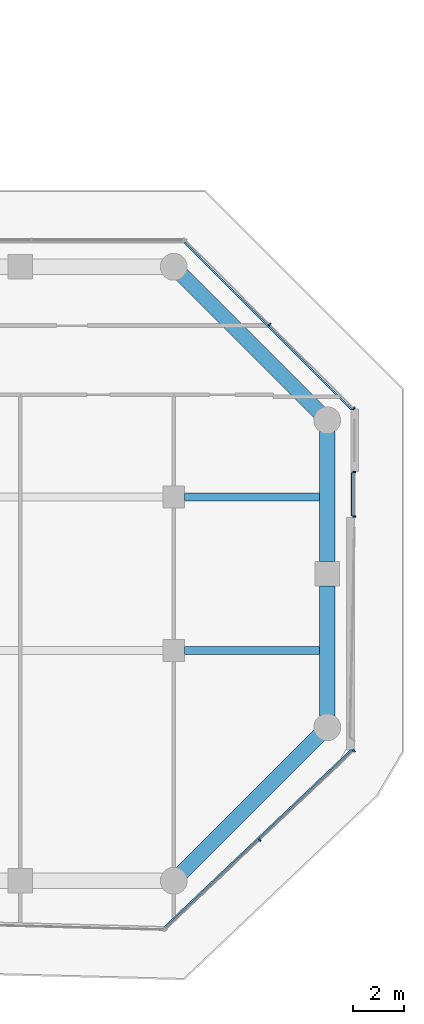
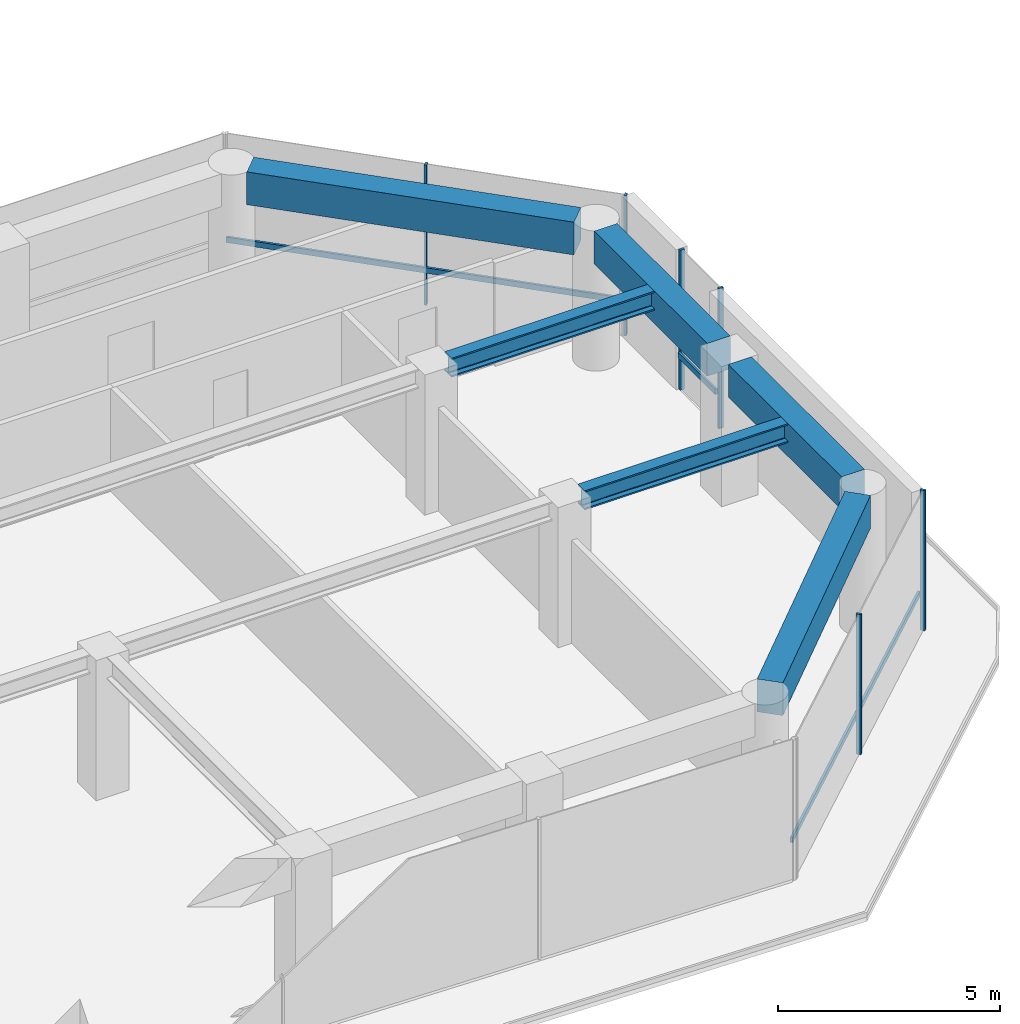
# One storey, part 20 of 28: 9 members, 6 beams, 3 elements without a shape of their own.
"""IFC4 building model written with IfcOpenShell, lengths in metres."""

from ifc_helpers import new_model, si_unit, direction, frame, origin, origin_2d, place, context, subcontext, project, spatial, rectangle, i_section, extrude, material, layer, layer_set, material_profile, profile_set, type_object, element, aggregate, save


model = new_model("IFC4")

# Units and contexts
model_context = context("Model", 3, precision=1e-05, world=origin(), true_north=direction((0.0, 1.0)))
body_context = subcontext(model_context, "Body", "Model", "MODEL_VIEW")
ifc_project = project(units=[si_unit("LENGTHUNIT", "METRE"), si_unit("AREAUNIT", "SQUARE_METRE"), si_unit("VOLUMEUNIT", "CUBIC_METRE"), si_unit("PLANEANGLEUNIT", "RADIAN"), si_unit("MASSUNIT", "GRAM", prefix="KILO")], contexts=[model_context])

# Site, building, storey
site_placement = place(None, origin())
site = spatial("IfcSite", under=ifc_project, at=site_placement, CompositionType="ELEMENT")
building_placement = place(site_placement, origin())
building = spatial("IfcBuilding", under=site, at=building_placement, Name="Welwitschia Terrace Campus", CompositionType="ELEMENT")
storey_placement = place(building_placement, frame((0.0, 0.0, 45.800048828125)))
storey = spatial("IfcBuildingStorey", under=building, at=storey_placement, Name="L10", CompositionType="ELEMENT", Elevation=45.800048828125)

# Beams
ifc_material_1 = material(Name="Steel S355", Category="steel")
ifc_material_profile_1 = material_profile(ifc_material_1, i_section(OverallWidth=0.305908203125, OverallDepth=0.52392578125, WebThickness=0.02099609375, FlangeThickness=0.0400390625, FilletRadius=0.027099609375, at=origin_2d()))
ifc_profile_set_1 = profile_set([ifc_material_profile_1], Name="Steel S355")
beam_type_1 = type_object("IfcBeamType", Name="Interior girder HE 500 M", PredefinedType="BEAM", material=ifc_profile_set_1)
for number, where, z_axis, x_axis, name in (
    (1, (60.425537109375, 5.0, 3.587890625), (1.0, 0.0, 0.0), (0.0, 1.0, 0.0), "Girder GB2"),
    (2, (60.425537109375, 11.0, 3.587890625), (1.0, 0.0, 0.0), (0.0, 1.0, 0.0), "Girder GB2"),
):
    element("IfcBeam", number, at=place(storey_placement, frame(where, z_axis=z_axis, x_axis=x_axis)), inside=storey, type_object=beam_type_1, Name=name, PredefinedType="BEAM", context=body_context, shape_type="SweptSolid", body=[
        extrude(i_section(OverallWidth=0.305908203125, OverallDepth=0.52392578125, WebThickness=0.02099609375, FlangeThickness=0.0400390625, FilletRadius=0.027099609375, at=origin_2d()), origin(), (0.0, 0.0, 1.0), 5.58447265625),
    ])

# Curtain wall, members
ifc_material_2 = material(Name="Bronze anodised aluminium", Category="aluminium")
ifc_layer = layer(ifc_material_2, 0.1201171875)
ifc_layer_set = layer_set([ifc_layer], Name="Bronze anodised aluminium")
curtain_wall_type = type_object("IfcCurtainWallType", Name="Curtain wall CW2 tower 6000", PredefinedType="NOTDEFINED", material=ifc_layer_set)
curtain_wall_1_placement = place(storey_placement, origin())
curtain_wall_1 = element("IfcCurtainWall", 3, at=curtain_wall_1_placement, inside=storey, type_object=curtain_wall_type, Name="CW L10.3.0", PredefinedType="NOTDEFINED")
ifc_material_3 = material(Name="Bronze anodised aluminium", Category="aluminium")
ifc_material_profile_2 = material_profile(ifc_material_3, rectangle(XDim=0.1201171875, YDim=0.06005859375, at=origin_2d()))
ifc_profile_set_2 = profile_set([ifc_material_profile_2], Name="Bronze anodised aluminium")
member_type_1 = type_object("IfcMemberType", Name="Mullion 60x120", PredefinedType="MULLION", material=ifc_profile_set_2)
member_1_placement = place(storey_placement, frame((63.3583984375, -2.405517578125, 0.0), z_axis=(0.0, 0.0, 1.0), x_axis=(-0.688354575694, 0.725374371012, 0.0)))
member_1 = element("IfcMember", 4, at=member_1_placement, type_object=member_type_1, Name="Mullion L10.3.0.1", PredefinedType="MULLION", context=body_context, shape_type="SweptSolid", body=[
    extrude(rectangle(XDim=0.1201171875, YDim=0.06005859375, at=origin_2d()), origin(), (0.0, 0.0, 1.0), 3.849853515625),
])
member_2_placement = place(storey_placement, frame((67.0361328125, 1.084716796875, 0.0), z_axis=(0.0, 0.0, 1.0), x_axis=(-0.688354575694, 0.725374371012, 0.0)))
member_2 = element("IfcMember", 5, at=member_2_placement, type_object=member_type_1, Name="Mullion L10.3.0.2", PredefinedType="MULLION", context=body_context, shape_type="SweptSolid", body=[
    extrude(rectangle(XDim=0.1201171875, YDim=0.06005859375, at=origin_2d()), origin(), (0.0, 0.0, 1.0), 3.849853515625),
])

curtain_wall_2_placement = place(storey_placement, origin())
curtain_wall_2 = element("IfcCurtainWall", 6, at=curtain_wall_2_placement, inside=storey, type_object=curtain_wall_type, Name="CW L10.4.S0", PredefinedType="NOTDEFINED")
member_3_placement = place(storey_placement, frame((67.05810546875, 10.235107421875, 0.0), z_axis=(0.0, 0.0, 1.0), x_axis=(-1.0, 0.0, 0.0)))
member_3 = element("IfcMember", 7, at=member_3_placement, type_object=member_type_1, Name="Mullion L10.4.S0.0", PredefinedType="MULLION", context=body_context, shape_type="SweptSolid", body=[
    extrude(rectangle(XDim=0.1201171875, YDim=0.06005859375, at=origin_2d()), origin(), (0.0, 0.0, 1.0), 3.849853515625),
])
member_4_placement = place(storey_placement, frame((67.05810546875, 11.97509765625, 0.0), z_axis=(0.0, 0.0, 1.0), x_axis=(-1.0, 0.0, 0.0)))
member_4 = element("IfcMember", 8, at=member_4_placement, type_object=member_type_1, Name="Mullion L10.4.S0.1", PredefinedType="MULLION", context=body_context, shape_type="SweptSolid", body=[
    extrude(rectangle(XDim=0.1201171875, YDim=0.06005859375, at=origin_2d()), origin(), (0.0, 0.0, 1.0), 3.849853515625),
])

curtain_wall_3_placement = place(storey_placement, origin())
curtain_wall_3 = element("IfcCurtainWall", 9, at=curtain_wall_3_placement, inside=storey, type_object=curtain_wall_type, Name="CW L10.5.0", PredefinedType="NOTDEFINED")
member_5_placement = place(storey_placement, frame((67.036865234375, 14.45947265625, 0.0), z_axis=(0.0, 0.0, 1.0), x_axis=(-0.707106781187, -0.707106781187, 0.0)))
member_5 = element("IfcMember", 10, at=member_5_placement, type_object=member_type_1, Name="Mullion L10.5.0.0", PredefinedType="MULLION", context=body_context, shape_type="SweptSolid", body=[
    extrude(rectangle(XDim=0.1201171875, YDim=0.06005859375, at=origin_2d()), origin(), (0.0, 0.0, 1.0), 3.849853515625),
])
member_6_placement = place(storey_placement, frame((63.748046875, 17.748046875, 0.0), z_axis=(0.0, 0.0, 1.0), x_axis=(-0.707106781187, -0.707106781187, 0.0)))
member_6 = element("IfcMember", 11, at=member_6_placement, type_object=member_type_1, Name="Mullion L10.5.0.1", PredefinedType="MULLION", context=body_context, shape_type="SweptSolid", body=[
    extrude(rectangle(XDim=0.1201171875, YDim=0.06005859375, at=origin_2d()), origin(), (0.0, 0.0, 1.0), 3.849853515625),
])

# Beams
ifc_material_4 = material(Name="Concrete C60/75", Category="concrete")
ifc_material_profile_3 = material_profile(ifc_material_4, rectangle(XDim=0.60009765625, YDim=0.89990234375, at=origin_2d()))
ifc_profile_set_3 = profile_set([ifc_material_profile_3], Name="Concrete C60/75")
beam_type_2 = type_object("IfcBeamType", Name="Ring spandrel 600x900", PredefinedType="SPANDREL", material=ifc_profile_set_3)
beam_1_placement = place(storey_placement, frame((60.30517578125, -3.69482421875, 3.39990234375), z_axis=(0.707106781187, 0.707106781187, 0.0), x_axis=(-0.707106781187, 0.707106781187, 0.0)))
element("IfcBeam", 12, at=beam_1_placement, inside=storey, type_object=beam_type_2, Name="Spandrel SP2", PredefinedType="SPANDREL", context=body_context, shape_type="SweptSolid", body=[
    extrude(rectangle(XDim=0.60009765625, YDim=0.89990234375, at=origin_2d()), origin(), (0.0, 0.0, 1.0), 7.6220703125),
])
for number, where, z_axis, x_axis, name in (
    (13, (66.0, 2.431396484375, 3.39990234375), (0.0, 1.0, 0.0), (-1.0, 0.0, 0.0), "Spandrel SP2"),
    (14, (66.0, 8.4755859375, 3.39990234375), (0.0, 1.0, 0.0), (-1.0, 0.0, 0.0), "Spandrel SP2"),
):
    element("IfcBeam", number, at=place(storey_placement, frame(where, z_axis=z_axis, x_axis=x_axis)), inside=storey, type_object=beam_type_2, Name=name, PredefinedType="SPANDREL", context=body_context, shape_type="SweptSolid", body=[
        extrude(rectangle(XDim=0.60009765625, YDim=0.89990234375, at=origin_2d()), origin(), (0.0, 0.0, 1.0), 5.093017578125),
    ])
beam_2_placement = place(storey_placement, frame((65.69482421875, 14.30517578125, 3.39990234375), z_axis=(-0.707106781187, 0.707106781187, 0.0), x_axis=(-0.707106781187, -0.707106781187, 0.0)))
element("IfcBeam", 15, at=beam_2_placement, inside=storey, type_object=beam_type_2, Name="Spandrel SP2", PredefinedType="SPANDREL", context=body_context, shape_type="SweptSolid", body=[
    extrude(rectangle(XDim=0.60009765625, YDim=0.89990234375, at=origin_2d()), origin(), (0.0, 0.0, 1.0), 7.6220703125),
])

# Member
ifc_material_5 = material(Name="Bronze anodised aluminium", Category="aluminium")
ifc_material_profile_4 = material_profile(ifc_material_5, rectangle(XDim=0.06005859375, YDim=0.14990234375, at=origin_2d()))
ifc_profile_set_4 = profile_set([ifc_material_profile_4], Name="Bronze anodised aluminium")
member_type_2 = type_object("IfcMemberType", Name="Transom 60x150", PredefinedType="USERDEFINED", material=ifc_profile_set_4)
member_7_placement = place(storey_placement, frame((59.640380859375, -5.8095703125, 1.0), z_axis=(0.725379664484, 0.688348997495, 0.0), x_axis=(-0.688348997495, 0.725379664484, 0.0)))
member_7 = element("IfcMember", 16, at=member_7_placement, type_object=member_type_2, Name="Transom L10.3.0", ObjectType="TRANSOM", PredefinedType="USERDEFINED", context=body_context, shape_type="SweptSolid", body=[
    extrude(rectangle(XDim=0.06005859375, YDim=0.14990234375, at=origin_2d()), origin(), (0.0, 0.0, 1.0), 10.08056640625),
])

aggregate(curtain_wall_1, [member_1, member_2, member_7])

member_8_placement = place(storey_placement, frame((66.968017578125, 10.26513671875, 1.0), z_axis=(0.0, 1.0, 0.0), x_axis=(-1.0, 0.0, 0.0)))
member_8 = element("IfcMember", 17, at=member_8_placement, type_object=member_type_2, Name="Transom L10.4.S0", ObjectType="TRANSOM", PredefinedType="USERDEFINED", context=body_context, shape_type="SweptSolid", body=[
    extrude(rectangle(XDim=0.06005859375, YDim=0.14990234375, at=origin_2d()), origin(), (0.0, 0.0, 1.0), 1.679931640625),
])

aggregate(curtain_wall_2, [member_3, member_4, member_8])

member_9_placement = place(storey_placement, frame((66.951904296875, 14.4169921875, 1.0), z_axis=(-0.707106781187, 0.707106781187, 0.0), x_axis=(-0.707106781187, -0.707106781187, 0.0)))
member_9 = element("IfcMember", 18, at=member_9_placement, type_object=member_type_2, Name="Transom L10.5.0", ObjectType="TRANSOM", PredefinedType="USERDEFINED", context=body_context, shape_type="SweptSolid", body=[
    extrude(rectangle(XDim=0.06005859375, YDim=0.14990234375, at=origin_2d()), origin(), (0.0, 0.0, 1.0), 9.24169921875),
])

aggregate(curtain_wall_3, [member_5, member_6, member_9])

save(model, "model.ifc")
